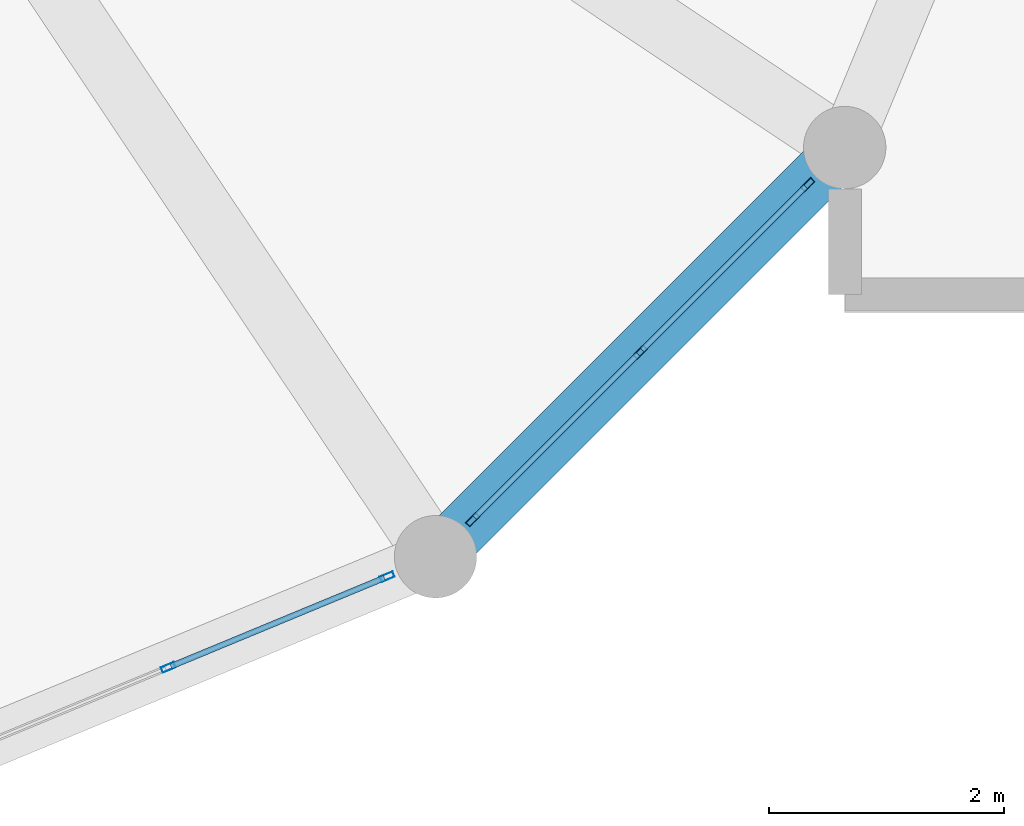
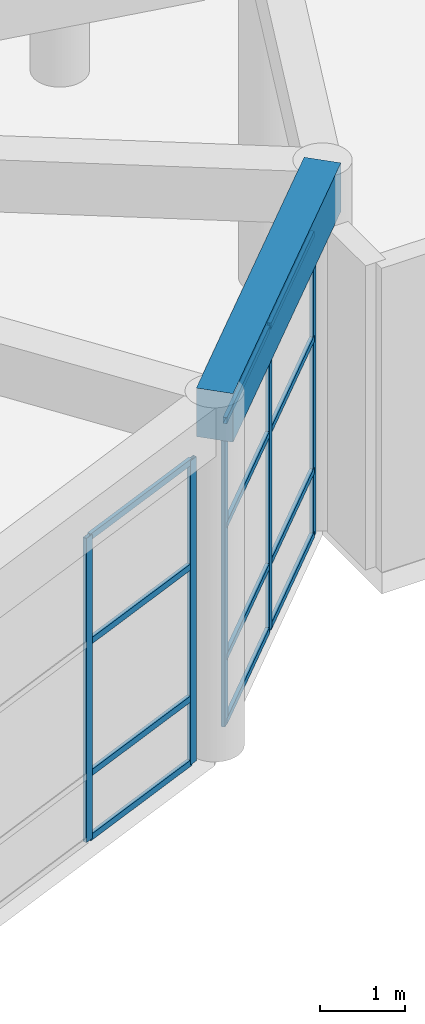
# One storey, part 11 of 96: 17 members, 1 beam, 2 elements without a shape of their own.
"""IFC4 building model written with IfcOpenShell, lengths in metres."""

from ifc_helpers import new_model, si_unit, direction, frame, origin, origin_2d, place, context, subcontext, project, spatial, rectangle, hollow_rectangle, extrude, material, material_profile, profile_set, type_object, element, aggregate, save


model = new_model("IFC4")

# Units and contexts
model_context = context("Model", 3, precision=1e-05, world=origin(), true_north=direction((0.0, 1.0)))
body_context = subcontext(model_context, "Body", "Model", "MODEL_VIEW")
ifc_project = project(units=[si_unit("LENGTHUNIT", "METRE"), si_unit("AREAUNIT", "SQUARE_METRE"), si_unit("VOLUMEUNIT", "CUBIC_METRE"), si_unit("PLANEANGLEUNIT", "RADIAN"), si_unit("MASSUNIT", "GRAM", prefix="KILO")], contexts=[model_context])

# Site, building, storey
site_placement = place(None, origin())
site = spatial("IfcSite", under=ifc_project, at=site_placement, CompositionType="ELEMENT")
building_placement = place(site_placement, origin())
building = spatial("IfcBuilding", under=site, at=building_placement, Name="Almacenes y Pasaje Nevantli", CompositionType="ELEMENT")
storey_placement = place(building_placement, frame((0.0, 0.0, 6.0)))
storey = spatial("IfcBuildingStorey", under=building, at=storey_placement, Name="L02", CompositionType="ELEMENT", Elevation=6.0)

# Beam
ifc_material_1 = material(Name="Concrete C35/45", Category="concrete")
ifc_material_profile_1 = material_profile(ifc_material_1, rectangle(XDim=0.449951171875, YDim=0.699951171875, at=origin_2d()), Name="RC-BM-450x700")
ifc_profile_set_1 = profile_set([ifc_material_profile_1], Name="Concrete C35/45")
beam_type = type_object("IfcBeamType", Name="BM-RC-450x700", PredefinedType="SPANDREL", material=ifc_profile_set_1)
beam_placement = place(storey_placement, frame((15.400146484375, -2.076416015625, 4.75), z_axis=(0.707106781187, 0.707106781187, 0.0), x_axis=(-0.707106781187, 0.707106781187, 0.0)))
element("IfcBeam", 1, at=beam_placement, inside=storey, type_object=beam_type, Name="L02 Rotunda Ring Spandrel Beam #14", PredefinedType="SPANDREL", context=body_context, shape_type="SweptSolid", body=[
    extrude(rectangle(XDim=0.449951171875, YDim=0.699951171875, at=origin_2d()), origin(), (0.0, 0.0, 1.0), 4.916259765625),
])

# Curtain wall, members
ifc_material_2 = material(Name="Thermally Broken Aluminium and Low-E Glass", Category="aluminium")
curtain_wall_type = type_object("IfcCurtainWallType", Name="CW-UNIT-ROTUNDA", PredefinedType="USERDEFINED", material=ifc_material_2)
curtain_wall_1_placement = place(storey_placement, origin())
curtain_wall_1 = element("IfcCurtainWall", 2, at=curtain_wall_1_placement, inside=storey, type_object=curtain_wall_type, Name="L02 Corner Rotunda Faceted Curtain Wall Facet #13", ObjectType="UNITIZED CURTAIN WALL", PredefinedType="USERDEFINED")
ifc_material_3 = material(Name="Thermally Broken Anodized Aluminium", Category="aluminium")
ifc_material_profile_2 = material_profile(ifc_material_3, hollow_rectangle(XDim=0.050048828125, YDim=0.1201171875, WallThickness=0.003173828125, at=origin_2d()), Name="ALU-MUL-50x120")
ifc_profile_set_2 = profile_set([ifc_material_profile_2], Name="Thermally Broken Anodized Aluminium")
member_type_1 = type_object("IfcMemberType", Name="CW-MUL-140", PredefinedType="MULLION", material=ifc_profile_set_2)
member_1_placement = place(storey_placement, frame((13.129150390625, -3.01708984375, 0.0), z_axis=(0.0, 0.0, 1.0), x_axis=(-0.382698450865, 0.923873311502, 0.0)))
member_1 = element("IfcMember", 3, at=member_1_placement, type_object=member_type_1, Name="CW-L02-032 mullion 2", PredefinedType="MULLION", context=body_context, shape_type="SweptSolid", body=[
    extrude(hollow_rectangle(XDim=0.050048828125, YDim=0.1201171875, WallThickness=0.003173828125, at=origin_2d()), origin(), (0.0, 0.0, 1.0), 4.3798828125),
])
member_2_placement = place(storey_placement, frame((14.989013671875, -2.246826171875, 0.0), z_axis=(0.0, 0.0, 1.0), x_axis=(-0.382698450865, 0.923873311502, 0.0)))
member_2 = element("IfcMember", 4, at=member_2_placement, type_object=member_type_1, Name="CW-L02-032 mullion 3", PredefinedType="MULLION", context=body_context, shape_type="SweptSolid", body=[
    extrude(hollow_rectangle(XDim=0.050048828125, YDim=0.1201171875, WallThickness=0.003173828125, at=origin_2d()), origin(), (0.0, 0.0, 1.0), 4.3798828125),
])

curtain_wall_2_placement = place(storey_placement, origin())
curtain_wall_2 = element("IfcCurtainWall", 5, at=curtain_wall_2_placement, inside=storey, type_object=curtain_wall_type, Name="L02 Corner Rotunda Faceted Curtain Wall Facet #14", ObjectType="UNITIZED CURTAIN WALL", PredefinedType="USERDEFINED")
member_3_placement = place(storey_placement, frame((15.71484375, -1.76171875, 0.0), z_axis=(0.0, 0.0, 1.0), x_axis=(-0.707106781187, 0.707106781187, 0.0)))
member_3 = element("IfcMember", 6, at=member_3_placement, type_object=member_type_1, Name="CW-L02-033 mullion 1", PredefinedType="MULLION", context=body_context, shape_type="SweptSolid", body=[
    extrude(hollow_rectangle(XDim=0.050048828125, YDim=0.1201171875, WallThickness=0.003173828125, at=origin_2d()), origin(), (0.0, 0.0, 1.0), 4.3798828125),
])
member_4_placement = place(storey_placement, frame((17.138427734375, -0.33837890625, 0.0), z_axis=(0.0, 0.0, 1.0), x_axis=(-0.707106781187, 0.707106781187, 0.0)))
member_4 = element("IfcMember", 7, at=member_4_placement, type_object=member_type_1, Name="CW-L02-033 mullion 2", PredefinedType="MULLION", context=body_context, shape_type="SweptSolid", body=[
    extrude(hollow_rectangle(XDim=0.050048828125, YDim=0.1201171875, WallThickness=0.003173828125, at=origin_2d()), origin(), (0.0, 0.0, 1.0), 4.3798828125),
])
member_5_placement = place(storey_placement, frame((18.561767578125, 1.085205078125, 0.0), z_axis=(0.0, 0.0, 1.0), x_axis=(-0.707106781187, 0.707106781187, 0.0)))
member_5 = element("IfcMember", 8, at=member_5_placement, type_object=member_type_1, Name="CW-L02-033 mullion 3", PredefinedType="MULLION", context=body_context, shape_type="SweptSolid", body=[
    extrude(hollow_rectangle(XDim=0.050048828125, YDim=0.1201171875, WallThickness=0.003173828125, at=origin_2d()), origin(), (0.0, 0.0, 1.0), 4.3798828125),
])

# Member
ifc_material_4 = material(Name="Thermally Broken Anodized Aluminium", Category="aluminium")
ifc_material_profile_3 = material_profile(ifc_material_4, hollow_rectangle(XDim=0.050048828125, YDim=0.090087890625, WallThickness=0.0029296875, at=origin_2d()), Name="ALU-TRN-50x90")
ifc_profile_set_3 = profile_set([ifc_material_profile_3], Name="Thermally Broken Anodized Aluminium")
member_type_2 = type_object("IfcMemberType", Name="CW-TRN-100", PredefinedType="USERDEFINED", material=ifc_profile_set_3)
member_6_placement = place(storey_placement, frame((13.15234375, -3.007568359375, 0.02490234375), z_axis=(0.923887998679, 0.382662992588, 0.0), x_axis=(-0.382662992588, 0.923887998679, 0.0)))
member_6 = element("IfcMember", 9, at=member_6_placement, type_object=member_type_2, Name="CW-L02-032 transom 2.1", ObjectType="TRANSOM", PredefinedType="USERDEFINED", context=body_context, shape_type="SweptSolid", body=[
    extrude(hollow_rectangle(XDim=0.050048828125, YDim=0.090087890625, WallThickness=0.0029296875, at=origin_2d()), origin(), (0.0, 0.0, 1.0), 1.963134765625),
])

member_7_placement = place(storey_placement, frame((13.15234375, -3.007568359375, 0.949951171875), z_axis=(0.923887998679, 0.382662992588, 0.0), x_axis=(-0.382662992588, 0.923887998679, 0.0)))
member_7 = element("IfcMember", 10, at=member_7_placement, type_object=member_type_2, Name="CW-L02-032 transom 2.2", ObjectType="TRANSOM", PredefinedType="USERDEFINED", context=body_context, shape_type="SweptSolid", body=[
    extrude(hollow_rectangle(XDim=0.050048828125, YDim=0.090087890625, WallThickness=0.0029296875, at=origin_2d()), origin(), (0.0, 0.0, 1.0), 1.963134765625),
])

member_8_placement = place(storey_placement, frame((13.15234375, -3.007568359375, 2.85009765625), z_axis=(0.923887998679, 0.382662992588, 0.0), x_axis=(-0.382662992588, 0.923887998679, 0.0)))
member_8 = element("IfcMember", 11, at=member_8_placement, type_object=member_type_2, Name="CW-L02-032 transom 2.3", ObjectType="TRANSOM", PredefinedType="USERDEFINED", context=body_context, shape_type="SweptSolid", body=[
    extrude(hollow_rectangle(XDim=0.050048828125, YDim=0.090087890625, WallThickness=0.0029296875, at=origin_2d()), origin(), (0.0, 0.0, 1.0), 1.963134765625),
])

member_9_placement = place(storey_placement, frame((13.15234375, -3.007568359375, 4.35498046875), z_axis=(0.923887998679, 0.382662992588, 0.0), x_axis=(-0.382662992588, 0.923887998679, 0.0)))
member_9 = element("IfcMember", 12, at=member_9_placement, type_object=member_type_2, Name="CW-L02-032 transom 2.4", ObjectType="TRANSOM", PredefinedType="USERDEFINED", context=body_context, shape_type="SweptSolid", body=[
    extrude(hollow_rectangle(XDim=0.050048828125, YDim=0.090087890625, WallThickness=0.0029296875, at=origin_2d()), origin(), (0.0, 0.0, 1.0), 1.963134765625),
])

aggregate(curtain_wall_1, [member_1, member_2, member_6, member_7, member_8, member_9])

member_10_placement = place(storey_placement, frame((15.732666015625, -1.744140625, 0.02490234375), z_axis=(0.707044593352, 0.707168963553, 0.0), x_axis=(-0.707168963553, 0.707044593352, 0.0)))
member_10 = element("IfcMember", 13, at=member_10_placement, type_object=member_type_2, Name="CW-L02-033 transom 1.1", ObjectType="TRANSOM", PredefinedType="USERDEFINED", context=body_context, shape_type="SweptSolid", body=[
    extrude(hollow_rectangle(XDim=0.050048828125, YDim=0.090087890625, WallThickness=0.0029296875, at=origin_2d()), origin(), (0.0, 0.0, 1.0), 1.963134765625),
])

member_11_placement = place(storey_placement, frame((15.732666015625, -1.744140625, 0.949951171875), z_axis=(0.707044593352, 0.707168963553, 0.0), x_axis=(-0.707168963553, 0.707044593352, 0.0)))
member_11 = element("IfcMember", 14, at=member_11_placement, type_object=member_type_2, Name="CW-L02-033 transom 1.2", ObjectType="TRANSOM", PredefinedType="USERDEFINED", context=body_context, shape_type="SweptSolid", body=[
    extrude(hollow_rectangle(XDim=0.050048828125, YDim=0.090087890625, WallThickness=0.0029296875, at=origin_2d()), origin(), (0.0, 0.0, 1.0), 1.963134765625),
])

member_12_placement = place(storey_placement, frame((15.732666015625, -1.744140625, 2.85009765625), z_axis=(0.707044593352, 0.707168963553, 0.0), x_axis=(-0.707168963553, 0.707044593352, 0.0)))
member_12 = element("IfcMember", 15, at=member_12_placement, type_object=member_type_2, Name="CW-L02-033 transom 1.3", ObjectType="TRANSOM", PredefinedType="USERDEFINED", context=body_context, shape_type="SweptSolid", body=[
    extrude(hollow_rectangle(XDim=0.050048828125, YDim=0.090087890625, WallThickness=0.0029296875, at=origin_2d()), origin(), (0.0, 0.0, 1.0), 1.963134765625),
])

member_13_placement = place(storey_placement, frame((15.732666015625, -1.744140625, 4.35498046875), z_axis=(0.707044593352, 0.707168963553, 0.0), x_axis=(-0.707168963553, 0.707044593352, 0.0)))
member_13 = element("IfcMember", 16, at=member_13_placement, type_object=member_type_2, Name="CW-L02-033 transom 1.4", ObjectType="TRANSOM", PredefinedType="USERDEFINED", context=body_context, shape_type="SweptSolid", body=[
    extrude(hollow_rectangle(XDim=0.050048828125, YDim=0.090087890625, WallThickness=0.0029296875, at=origin_2d()), origin(), (0.0, 0.0, 1.0), 1.963134765625),
])

member_14_placement = place(storey_placement, frame((17.156005859375, -0.320556640625, 0.02490234375), z_axis=(0.707168963553, 0.707044593352, 0.0), x_axis=(-0.707044593352, 0.707168963553, 0.0)))
member_14 = element("IfcMember", 17, at=member_14_placement, type_object=member_type_2, Name="CW-L02-033 transom 2.1", ObjectType="TRANSOM", PredefinedType="USERDEFINED", context=body_context, shape_type="SweptSolid", body=[
    extrude(hollow_rectangle(XDim=0.050048828125, YDim=0.090087890625, WallThickness=0.0029296875, at=origin_2d()), origin(), (0.0, 0.0, 1.0), 1.963134765625),
])

member_15_placement = place(storey_placement, frame((17.156005859375, -0.320556640625, 0.949951171875), z_axis=(0.707168963553, 0.707044593352, 0.0), x_axis=(-0.707044593352, 0.707168963553, 0.0)))
member_15 = element("IfcMember", 18, at=member_15_placement, type_object=member_type_2, Name="CW-L02-033 transom 2.2", ObjectType="TRANSOM", PredefinedType="USERDEFINED", context=body_context, shape_type="SweptSolid", body=[
    extrude(hollow_rectangle(XDim=0.050048828125, YDim=0.090087890625, WallThickness=0.0029296875, at=origin_2d()), origin(), (0.0, 0.0, 1.0), 1.963134765625),
])

member_16_placement = place(storey_placement, frame((17.156005859375, -0.320556640625, 2.85009765625), z_axis=(0.707168963553, 0.707044593352, 0.0), x_axis=(-0.707044593352, 0.707168963553, 0.0)))
member_16 = element("IfcMember", 19, at=member_16_placement, type_object=member_type_2, Name="CW-L02-033 transom 2.3", ObjectType="TRANSOM", PredefinedType="USERDEFINED", context=body_context, shape_type="SweptSolid", body=[
    extrude(hollow_rectangle(XDim=0.050048828125, YDim=0.090087890625, WallThickness=0.0029296875, at=origin_2d()), origin(), (0.0, 0.0, 1.0), 1.963134765625),
])

member_17_placement = place(storey_placement, frame((17.156005859375, -0.320556640625, 4.35498046875), z_axis=(0.707168963553, 0.707044593352, 0.0), x_axis=(-0.707044593352, 0.707168963553, 0.0)))
member_17 = element("IfcMember", 20, at=member_17_placement, type_object=member_type_2, Name="CW-L02-033 transom 2.4", ObjectType="TRANSOM", PredefinedType="USERDEFINED", context=body_context, shape_type="SweptSolid", body=[
    extrude(hollow_rectangle(XDim=0.050048828125, YDim=0.090087890625, WallThickness=0.0029296875, at=origin_2d()), origin(), (0.0, 0.0, 1.0), 1.963134765625),
])

aggregate(curtain_wall_2, [member_3, member_4, member_5, member_10, member_11, member_12, member_13, member_14, member_15, member_16, member_17])

save(model, "model.ifc")
